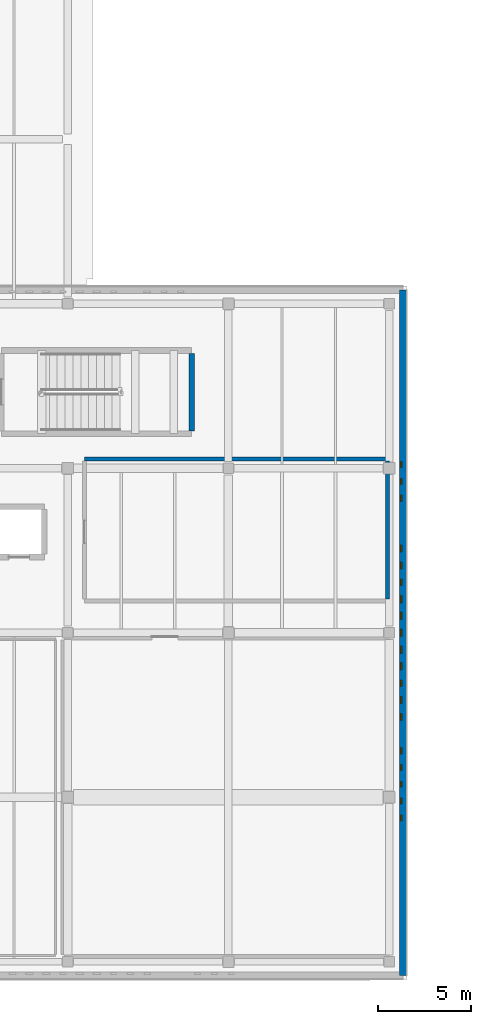
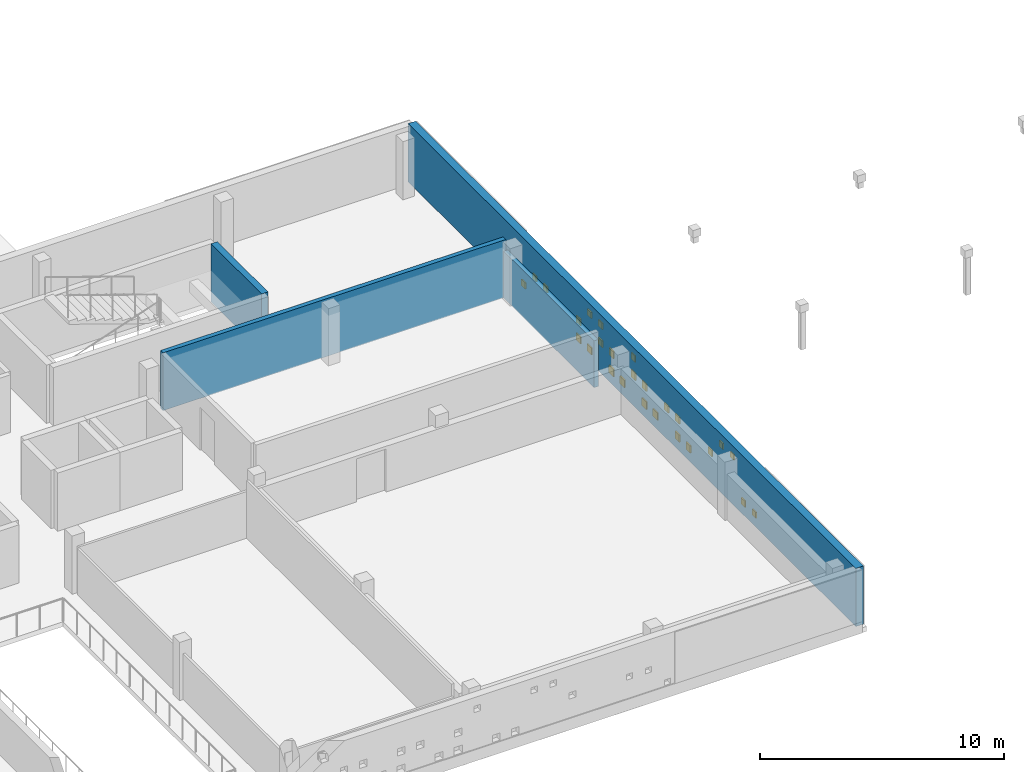
# One storey, part 11 of 17: 26 windows, 4 walls, 26 openings.
"""IFC4 building model written with IfcOpenShell, lengths in metres."""

from ifc_helpers import new_model, si_unit, direction, frame, frame_2d, origin, place, context, subcontext, project, spatial, rectangle, extrude, material, layer, layer_set, type_object, element, fill, save


model = new_model("IFC4")

# Units and contexts
model_context = context("Model", 3, precision=1e-05, world=origin(), true_north=direction((0.0, 1.0)))
body_context = subcontext(model_context, "Body", "Model", "MODEL_VIEW")
ifc_project = project(units=[si_unit("LENGTHUNIT", "METRE"), si_unit("AREAUNIT", "SQUARE_METRE"), si_unit("VOLUMEUNIT", "CUBIC_METRE"), si_unit("PLANEANGLEUNIT", "RADIAN"), si_unit("MASSUNIT", "GRAM", prefix="KILO")], contexts=[model_context])

# Site, building, storey
site_placement = place(None, origin())
site = spatial("IfcSite", under=ifc_project, at=site_placement, CompositionType="ELEMENT")
building_placement = place(site_placement, origin())
building = spatial("IfcBuilding", under=site, at=building_placement, Name="Varnakota Cinema and Media Centre", CompositionType="ELEMENT")
storey_placement = place(building_placement, frame((0.0, 0.0, 22.35009765625)))
storey = spatial("IfcBuildingStorey", under=building, at=storey_placement, Name="L06", CompositionType="ELEMENT", Elevation=22.35009765625)

# Walls
ifc_material_1 = material(Name="Autoclaved aerated concrete blockwork", Category="masonry")
ifc_layer_1 = layer(ifc_material_1, 0.2099609375)
ifc_layer_set_1 = layer_set([ifc_layer_1], Name="Autoclaved aerated concrete blockwork")
wall_type_1 = type_object("IfcWallType", Name="W-ACOUST-210", PredefinedType="PARTITIONING", material=ifc_layer_set_1)
wall_1_placement = place(storey_placement, frame((26.695068359375, 26.905029296875, 0.0), z_axis=(0.0, 0.0, 1.0), x_axis=(1.0, 0.0, 0.0)))
element("IfcWall", 1, at=wall_1_placement, inside=storey, type_object=wall_type_1, Name="L06 RWALL-RM-L06-EDIT5 N wall", PredefinedType="PARTITIONING", context=body_context, shape_type="SweptSolid", body=[
    extrude(rectangle(XDim=16.2099609375, YDim=0.2099609375, at=frame_2d((8.10498046875, 0.0))), origin(), (0.0, 0.0, 1.0), 2.889892578125),
])
wall_2_placement = place(storey_placement, frame((42.905029296875, 26.800048828125, 0.0), z_axis=(0.0, 0.0, 1.0), x_axis=(0.0, -1.0, 0.0)))
element("IfcWall", 2, at=wall_2_placement, inside=storey, type_object=wall_type_1, Name="L06 RWALL-RM-L06-EDIT5 E wall", PredefinedType="PARTITIONING", context=body_context, shape_type="SweptSolid", body=[
    extrude(rectangle(XDim=7.400146484375, YDim=0.2099609375, at=frame_2d((3.7001953125, 0.0))), origin(), (0.0, 0.0, 1.0), 2.33984375),
])
ifc_material_2 = material(Name="Concrete M40", Category="concrete")
ifc_layer_2 = layer(ifc_material_2, 0.300048828125)
ifc_layer_set_2 = layer_set([ifc_layer_2], Name="Concrete M40")
wall_type_2 = type_object("IfcWallType", Name="W-CORE-300", PredefinedType="SHEAR", material=ifc_layer_set_2)
wall_3_placement = place(storey_placement, frame((32.429931640625, 32.550048828125, 0.0), z_axis=(0.0, 0.0, 1.0), x_axis=(0.0, -1.0, 0.0)))
element("IfcWall", 3, at=wall_3_placement, inside=storey, type_object=wall_type_2, Name="L06 CWALL-ST-02-L06 E wall", PredefinedType="SHEAR", context=body_context, shape_type="SweptSolid", body=[
    extrude(rectangle(XDim=4.150146484375, YDim=0.300048828125, at=frame_2d((2.0751953125, 0.0))), origin(), (0.0, 0.0, 1.0), 2.909912109375),
])

# Wall, openings, windows
ifc_material_3 = material(Name="Pale Tandur limestone cladding", Category="masonry")
ifc_layer_3 = layer(ifc_material_3, 0.360107421875)
ifc_layer_set_3 = layer_set([ifc_layer_3], Name="Pale Tandur limestone cladding")
wall_type_3 = type_object("IfcWallType", Name="W-EXT-TANDUR-360", PredefinedType="SOLIDWALL", material=ifc_layer_set_3)
wall_4_placement = place(storey_placement, frame((43.739990234375, 35.93994140625, 0.0), z_axis=(0.0, 0.0, 1.0), x_axis=(0.0, -1.0, 0.0)))
wall_4 = element("IfcWall", 4, at=wall_4_placement, inside=storey, type_object=wall_type_3, Name="L06 V4 pale Tandur stone monolith wall V4-E", PredefinedType="SOLIDWALL", context=body_context, shape_type="SweptSolid", body=[
    extrude(rectangle(XDim=36.679931640625, YDim=0.360107421875, at=frame_2d((18.33984375, 0.0))), origin(), (0.0, 0.0, 1.0), 2.909912109375),
])
opening_1_placement = place(wall_4_placement, frame((9.179931640625, 0.0, 0.360107421875)))
opening_1 = element("IfcOpeningElement", 5, at=opening_1_placement, cuts=wall_4, Name="Opening WP13", PredefinedType="OPENING", context=body_context, shape_type="SweptSolid", body=[
    extrude(rectangle(XDim=0.320068359375, YDim=0.320068359375, at=frame_2d((0.16015625, 0.16015625))), frame((0.0, 0.18017578125, 0.0), z_axis=(0.0, -1.0, 0.0), x_axis=(1.0, 0.0, 0.0)), (0.0, 0.0, 1.0), 0.360107421875),
])
opening_2_placement = place(wall_4_placement, frame((10.090087890625, 0.0, 1.260009765625)))
opening_2 = element("IfcOpeningElement", 6, at=opening_2_placement, cuts=wall_4, Name="Opening WP14", PredefinedType="OPENING", context=body_context, shape_type="SweptSolid", body=[
    extrude(rectangle(XDim=0.300048828125, YDim=0.300048828125, at=frame_2d((0.14990234375, 0.14990234375))), frame((0.0, 0.18017578125, 0.0), z_axis=(0.0, -1.0, 0.0), x_axis=(1.0, 0.0, 0.0)), (0.0, 0.0, 1.0), 0.360107421875),
])
opening_3_placement = place(wall_4_placement, frame((10.97998046875, 0.0, 1.260009765625)))
opening_3 = element("IfcOpeningElement", 7, at=opening_3_placement, cuts=wall_4, Name="Opening WP13", PredefinedType="OPENING", context=body_context, shape_type="SweptSolid", body=[
    extrude(rectangle(XDim=0.320068359375, YDim=0.320068359375, at=frame_2d((0.16015625, 0.16015625))), frame((0.0, 0.18017578125, 0.0), z_axis=(0.0, -1.0, 0.0), x_axis=(1.0, 0.0, 0.0)), (0.0, 0.0, 1.0), 0.360107421875),
])
opening_4_placement = place(wall_4_placement, frame((13.659912109375, 0.0, 0.360107421875)))
opening_4 = element("IfcOpeningElement", 8, at=opening_4_placement, cuts=wall_4, Name="Opening WP11", PredefinedType="OPENING", context=body_context, shape_type="SweptSolid", body=[
    extrude(rectangle(XDim=0.360107421875, YDim=0.360107421875, at=frame_2d((0.18017578125, 0.18017578125))), frame((0.0, 0.18017578125, 0.0), z_axis=(0.0, -1.0, 0.0), x_axis=(1.0, 0.0, 0.0)), (0.0, 0.0, 1.0), 0.360107421875),
])
opening_5_placement = place(wall_4_placement, frame((13.669921875, 0.0, 1.260009765625)))
opening_5 = element("IfcOpeningElement", 9, at=opening_5_placement, cuts=wall_4, Name="Opening WP12", PredefinedType="OPENING", context=body_context, shape_type="SweptSolid", body=[
    extrude(rectangle(XDim=0.340087890625, YDim=0.340087890625, at=frame_2d((0.169921875, 0.169921875))), frame((0.0, 0.18017578125, 0.0), z_axis=(0.0, -1.0, 0.0), x_axis=(1.0, 0.0, 0.0)), (0.0, 0.0, 1.0), 0.360107421875),
])
opening_6_placement = place(wall_4_placement, frame((14.56005859375, 0.0, 0.360107421875)))
opening_6 = element("IfcOpeningElement", 10, at=opening_6_placement, cuts=wall_4, Name="Opening WP11", PredefinedType="OPENING", context=body_context, shape_type="SweptSolid", body=[
    extrude(rectangle(XDim=0.360107421875, YDim=0.360107421875, at=frame_2d((0.18017578125, 0.18017578125))), frame((0.0, 0.18017578125, 0.0), z_axis=(0.0, -1.0, 0.0), x_axis=(1.0, 0.0, 0.0)), (0.0, 0.0, 1.0), 0.360107421875),
])
opening_7_placement = place(wall_4_placement, frame((14.580078125, 0.0, 2.159912109375)))
opening_7 = element("IfcOpeningElement", 11, at=opening_7_placement, cuts=wall_4, Name="Opening WP13", PredefinedType="OPENING", context=body_context, shape_type="SweptSolid", body=[
    extrude(rectangle(XDim=0.320068359375, YDim=0.320068359375, at=frame_2d((0.16015625, 0.16015625))), frame((0.0, 0.18017578125, 0.0), z_axis=(0.0, -1.0, 0.0), x_axis=(1.0, 0.0, 0.0)), (0.0, 0.0, 1.0), 0.360107421875),
])
opening_8_placement = place(wall_4_placement, frame((15.469970703125, 0.0, 1.260009765625)))
opening_8 = element("IfcOpeningElement", 12, at=opening_8_placement, cuts=wall_4, Name="Opening WP12", PredefinedType="OPENING", context=body_context, shape_type="SweptSolid", body=[
    extrude(rectangle(XDim=0.340087890625, YDim=0.340087890625, at=frame_2d((0.169921875, 0.169921875))), frame((0.0, 0.18017578125, 0.0), z_axis=(0.0, -1.0, 0.0), x_axis=(1.0, 0.0, 0.0)), (0.0, 0.0, 1.0), 0.360107421875),
])
opening_9_placement = place(wall_4_placement, frame((15.47998046875, 0.0, 2.159912109375)))
opening_9 = element("IfcOpeningElement", 13, at=opening_9_placement, cuts=wall_4, Name="Opening WP13", PredefinedType="OPENING", context=body_context, shape_type="SweptSolid", body=[
    extrude(rectangle(XDim=0.320068359375, YDim=0.320068359375, at=frame_2d((0.16015625, 0.16015625))), frame((0.0, 0.18017578125, 0.0), z_axis=(0.0, -1.0, 0.0), x_axis=(1.0, 0.0, 0.0)), (0.0, 0.0, 1.0), 0.360107421875),
])
opening_10_placement = place(wall_4_placement, frame((16.35009765625, 0.0, 0.360107421875)))
opening_10 = element("IfcOpeningElement", 14, at=opening_10_placement, cuts=wall_4, Name="Opening WP10", PredefinedType="OPENING", context=body_context, shape_type="SweptSolid", body=[
    extrude(rectangle(XDim=0.3798828125, YDim=0.3798828125, at=frame_2d((0.18994140625, 0.18994140625))), frame((0.0, 0.18017578125, 0.0), z_axis=(0.0, -1.0, 0.0), x_axis=(1.0, 0.0, 0.0)), (0.0, 0.0, 1.0), 0.360107421875),
])
opening_11_placement = place(wall_4_placement, frame((16.360107421875, 0.0, 1.260009765625)))
opening_11 = element("IfcOpeningElement", 15, at=opening_11_placement, cuts=wall_4, Name="Opening WP11", PredefinedType="OPENING", context=body_context, shape_type="SweptSolid", body=[
    extrude(rectangle(XDim=0.360107421875, YDim=0.360107421875, at=frame_2d((0.18017578125, 0.18017578125))), frame((0.0, 0.18017578125, 0.0), z_axis=(0.0, -1.0, 0.0), x_axis=(1.0, 0.0, 0.0)), (0.0, 0.0, 1.0), 0.360107421875),
])
opening_12_placement = place(wall_4_placement, frame((17.25, 0.0, 0.360107421875)))
opening_12 = element("IfcOpeningElement", 16, at=opening_12_placement, cuts=wall_4, Name="Opening WP10", PredefinedType="OPENING", context=body_context, shape_type="SweptSolid", body=[
    extrude(rectangle(XDim=0.3798828125, YDim=0.3798828125, at=frame_2d((0.18994140625, 0.18994140625))), frame((0.0, 0.18017578125, 0.0), z_axis=(0.0, -1.0, 0.0), x_axis=(1.0, 0.0, 0.0)), (0.0, 0.0, 1.0), 0.360107421875),
])
opening_13_placement = place(wall_4_placement, frame((18.159912109375, 0.0, 1.260009765625)))
opening_13 = element("IfcOpeningElement", 17, at=opening_13_placement, cuts=wall_4, Name="Opening WP11", PredefinedType="OPENING", context=body_context, shape_type="SweptSolid", body=[
    extrude(rectangle(XDim=0.360107421875, YDim=0.360107421875, at=frame_2d((0.18017578125, 0.18017578125))), frame((0.0, 0.18017578125, 0.0), z_axis=(0.0, -1.0, 0.0), x_axis=(1.0, 0.0, 0.0)), (0.0, 0.0, 1.0), 0.360107421875),
])
opening_14_placement = place(wall_4_placement, frame((18.179931640625, 0.0, 2.159912109375)))
opening_14 = element("IfcOpeningElement", 18, at=opening_14_placement, cuts=wall_4, Name="Opening WP13", PredefinedType="OPENING", context=body_context, shape_type="SweptSolid", body=[
    extrude(rectangle(XDim=0.320068359375, YDim=0.320068359375, at=frame_2d((0.16015625, 0.16015625))), frame((0.0, 0.18017578125, 0.0), z_axis=(0.0, -1.0, 0.0), x_axis=(1.0, 0.0, 0.0)), (0.0, 0.0, 1.0), 0.360107421875),
])
opening_15_placement = place(wall_4_placement, frame((19.050048828125, 0.0, 0.360107421875)))
opening_15 = element("IfcOpeningElement", 19, at=opening_15_placement, cuts=wall_4, Name="Opening WP10", PredefinedType="OPENING", context=body_context, shape_type="SweptSolid", body=[
    extrude(rectangle(XDim=0.3798828125, YDim=0.3798828125, at=frame_2d((0.18994140625, 0.18994140625))), frame((0.0, 0.18017578125, 0.0), z_axis=(0.0, -1.0, 0.0), x_axis=(1.0, 0.0, 0.0)), (0.0, 0.0, 1.0), 0.360107421875),
])
opening_16_placement = place(wall_4_placement, frame((19.06005859375, 0.0, 1.260009765625)))
opening_16 = element("IfcOpeningElement", 20, at=opening_16_placement, cuts=wall_4, Name="Opening WP11", PredefinedType="OPENING", context=body_context, shape_type="SweptSolid", body=[
    extrude(rectangle(XDim=0.360107421875, YDim=0.360107421875, at=frame_2d((0.18017578125, 0.18017578125))), frame((0.0, 0.18017578125, 0.0), z_axis=(0.0, -1.0, 0.0), x_axis=(1.0, 0.0, 0.0)), (0.0, 0.0, 1.0), 0.360107421875),
])
opening_17_placement = place(wall_4_placement, frame((19.949951171875, 0.0, 0.360107421875)))
opening_17 = element("IfcOpeningElement", 21, at=opening_17_placement, cuts=wall_4, Name="Opening WP10", PredefinedType="OPENING", context=body_context, shape_type="SweptSolid", body=[
    extrude(rectangle(XDim=0.3798828125, YDim=0.3798828125, at=frame_2d((0.18994140625, 0.18994140625))), frame((0.0, 0.18017578125, 0.0), z_axis=(0.0, -1.0, 0.0), x_axis=(1.0, 0.0, 0.0)), (0.0, 0.0, 1.0), 0.360107421875),
])
opening_18_placement = place(wall_4_placement, frame((20.8701171875, 0.0, 1.260009765625)))
opening_18 = element("IfcOpeningElement", 22, at=opening_18_placement, cuts=wall_4, Name="Opening WP12", PredefinedType="OPENING", context=body_context, shape_type="SweptSolid", body=[
    extrude(rectangle(XDim=0.340087890625, YDim=0.340087890625, at=frame_2d((0.169921875, 0.169921875))), frame((0.0, 0.18017578125, 0.0), z_axis=(0.0, -1.0, 0.0), x_axis=(1.0, 0.0, 0.0)), (0.0, 0.0, 1.0), 0.360107421875),
])
opening_19_placement = place(wall_4_placement, frame((21.760009765625, 0.0, 0.360107421875)))
opening_19 = element("IfcOpeningElement", 23, at=opening_19_placement, cuts=wall_4, Name="Opening WP11", PredefinedType="OPENING", context=body_context, shape_type="SweptSolid", body=[
    extrude(rectangle(XDim=0.360107421875, YDim=0.360107421875, at=frame_2d((0.18017578125, 0.18017578125))), frame((0.0, 0.18017578125, 0.0), z_axis=(0.0, -1.0, 0.0), x_axis=(1.0, 0.0, 0.0)), (0.0, 0.0, 1.0), 0.360107421875),
])
opening_20_placement = place(wall_4_placement, frame((21.77001953125, 0.0, 1.260009765625)))
opening_20 = element("IfcOpeningElement", 24, at=opening_20_placement, cuts=wall_4, Name="Opening WP12", PredefinedType="OPENING", context=body_context, shape_type="SweptSolid", body=[
    extrude(rectangle(XDim=0.340087890625, YDim=0.340087890625, at=frame_2d((0.169921875, 0.169921875))), frame((0.0, 0.18017578125, 0.0), z_axis=(0.0, -1.0, 0.0), x_axis=(1.0, 0.0, 0.0)), (0.0, 0.0, 1.0), 0.360107421875),
])
opening_21_placement = place(wall_4_placement, frame((22.659912109375, 0.0, 0.360107421875)))
opening_21 = element("IfcOpeningElement", 25, at=opening_21_placement, cuts=wall_4, Name="Opening WP11", PredefinedType="OPENING", context=body_context, shape_type="SweptSolid", body=[
    extrude(rectangle(XDim=0.360107421875, YDim=0.360107421875, at=frame_2d((0.18017578125, 0.18017578125))), frame((0.0, 0.18017578125, 0.0), z_axis=(0.0, -1.0, 0.0), x_axis=(1.0, 0.0, 0.0)), (0.0, 0.0, 1.0), 0.360107421875),
])
opening_22_placement = place(wall_4_placement, frame((24.47998046875, 0.0, 1.260009765625)))
opening_22 = element("IfcOpeningElement", 26, at=opening_22_placement, cuts=wall_4, Name="Opening WP13", PredefinedType="OPENING", context=body_context, shape_type="SweptSolid", body=[
    extrude(rectangle(XDim=0.320068359375, YDim=0.320068359375, at=frame_2d((0.16015625, 0.16015625))), frame((0.0, 0.18017578125, 0.0), z_axis=(0.0, -1.0, 0.0), x_axis=(1.0, 0.0, 0.0)), (0.0, 0.0, 1.0), 0.360107421875),
])
opening_23_placement = place(wall_4_placement, frame((25.389892578125, 0.0, 2.159912109375)))
opening_23 = element("IfcOpeningElement", 27, at=opening_23_placement, cuts=wall_4, Name="Opening WP14", PredefinedType="OPENING", context=body_context, shape_type="SweptSolid", body=[
    extrude(rectangle(XDim=0.300048828125, YDim=0.300048828125, at=frame_2d((0.14990234375, 0.14990234375))), frame((0.0, 0.18017578125, 0.0), z_axis=(0.0, -1.0, 0.0), x_axis=(1.0, 0.0, 0.0)), (0.0, 0.0, 1.0), 0.360107421875),
])
opening_24_placement = place(wall_4_placement, frame((26.300048828125, 0.0, 2.159912109375)))
opening_24 = element("IfcOpeningElement", 28, at=opening_24_placement, cuts=wall_4, Name="Opening WP15", PredefinedType="OPENING", context=body_context, shape_type="SweptSolid", body=[
    extrude(rectangle(XDim=0.280029296875, YDim=0.280029296875, at=frame_2d((0.14013671875, 0.14013671875))), frame((0.0, 0.18017578125, 0.0), z_axis=(0.0, -1.0, 0.0), x_axis=(1.0, 0.0, 0.0)), (0.0, 0.0, 1.0), 0.360107421875),
])
opening_25_placement = place(wall_4_placement, frame((27.179931640625, 0.0, 0.360107421875)))
opening_25 = element("IfcOpeningElement", 29, at=opening_25_placement, cuts=wall_4, Name="Opening WP13", PredefinedType="OPENING", context=body_context, shape_type="SweptSolid", body=[
    extrude(rectangle(XDim=0.320068359375, YDim=0.320068359375, at=frame_2d((0.16015625, 0.16015625))), frame((0.0, 0.18017578125, 0.0), z_axis=(0.0, -1.0, 0.0), x_axis=(1.0, 0.0, 0.0)), (0.0, 0.0, 1.0), 0.360107421875),
])
opening_26_placement = place(wall_4_placement, frame((28.090087890625, 0.0, 0.360107421875)))
opening_26 = element("IfcOpeningElement", 30, at=opening_26_placement, cuts=wall_4, Name="Opening WP14", PredefinedType="OPENING", context=body_context, shape_type="SweptSolid", body=[
    extrude(rectangle(XDim=0.300048828125, YDim=0.300048828125, at=frame_2d((0.14990234375, 0.14990234375))), frame((0.0, 0.18017578125, 0.0), z_axis=(0.0, -1.0, 0.0), x_axis=(1.0, 0.0, 0.0)), (0.0, 0.0, 1.0), 0.360107421875),
])
ifc_material_4 = material(Name="Laminated solar-control double glazing", Category="glass")
window_type_1 = type_object("IfcWindowType", Name="WIN-PIERCE-10", PartitioningType="SINGLE_PANEL", PredefinedType="WINDOW", material=ifc_material_4)
window_1_placement = place(opening_10_placement, origin())
window_1 = element("IfcWindow", 31, at=window_1_placement, inside=storey, type_object=window_type_1, Name="L06 window WP10", OverallHeight=0.3798828125, OverallWidth=0.3798828125, PartitioningType="SINGLE_PANEL", PredefinedType="WINDOW", context=body_context, shape_type="SweptSolid", body=[
    extrude(rectangle(XDim=0.3798828125, YDim=0.3798828125, at=frame_2d((0.18994140625, 0.18994140625))), frame((0.0, -0.070068359375, 0.0), z_axis=(0.0, -1.0, 0.0), x_axis=(1.0, 0.0, 0.0)), (0.0, 0.0, 1.0), 0.06005859375),
])
fill(opening_10, window_1)
window_2_placement = place(opening_12_placement, origin())
window_2 = element("IfcWindow", 32, at=window_2_placement, inside=storey, type_object=window_type_1, Name="L06 window WP10", OverallHeight=0.3798828125, OverallWidth=0.3798828125, PartitioningType="SINGLE_PANEL", PredefinedType="WINDOW", context=body_context, shape_type="SweptSolid", body=[
    extrude(rectangle(XDim=0.3798828125, YDim=0.3798828125, at=frame_2d((0.18994140625, 0.18994140625))), frame((0.0, -0.070068359375, 0.0), z_axis=(0.0, -1.0, 0.0), x_axis=(1.0, 0.0, 0.0)), (0.0, 0.0, 1.0), 0.06005859375),
])
fill(opening_12, window_2)
window_3_placement = place(opening_15_placement, origin())
window_3 = element("IfcWindow", 33, at=window_3_placement, inside=storey, type_object=window_type_1, Name="L06 window WP10", OverallHeight=0.3798828125, OverallWidth=0.3798828125, PartitioningType="SINGLE_PANEL", PredefinedType="WINDOW", context=body_context, shape_type="SweptSolid", body=[
    extrude(rectangle(XDim=0.3798828125, YDim=0.3798828125, at=frame_2d((0.18994140625, 0.18994140625))), frame((0.0, -0.070068359375, 0.0), z_axis=(0.0, -1.0, 0.0), x_axis=(1.0, 0.0, 0.0)), (0.0, 0.0, 1.0), 0.06005859375),
])
fill(opening_15, window_3)
window_4_placement = place(opening_17_placement, origin())
window_4 = element("IfcWindow", 34, at=window_4_placement, inside=storey, type_object=window_type_1, Name="L06 window WP10", OverallHeight=0.3798828125, OverallWidth=0.3798828125, PartitioningType="SINGLE_PANEL", PredefinedType="WINDOW", context=body_context, shape_type="SweptSolid", body=[
    extrude(rectangle(XDim=0.3798828125, YDim=0.3798828125, at=frame_2d((0.18994140625, 0.18994140625))), frame((0.0, -0.070068359375, 0.0), z_axis=(0.0, -1.0, 0.0), x_axis=(1.0, 0.0, 0.0)), (0.0, 0.0, 1.0), 0.06005859375),
])
fill(opening_17, window_4)
ifc_material_5 = material(Name="Laminated solar-control double glazing", Category="glass")
window_type_2 = type_object("IfcWindowType", Name="WIN-PIERCE-11", PartitioningType="SINGLE_PANEL", PredefinedType="WINDOW", material=ifc_material_5)
window_5_placement = place(opening_4_placement, origin())
window_5 = element("IfcWindow", 35, at=window_5_placement, inside=storey, type_object=window_type_2, Name="L06 window WP11", OverallHeight=0.360107421875, OverallWidth=0.360107421875, PartitioningType="SINGLE_PANEL", PredefinedType="WINDOW", context=body_context, shape_type="SweptSolid", body=[
    extrude(rectangle(XDim=0.360107421875, YDim=0.360107421875, at=frame_2d((0.18017578125, 0.18017578125))), frame((0.0, -0.070068359375, 0.0), z_axis=(0.0, -1.0, 0.0), x_axis=(1.0, 0.0, 0.0)), (0.0, 0.0, 1.0), 0.06005859375),
])
fill(opening_4, window_5)
window_6_placement = place(opening_6_placement, origin())
window_6 = element("IfcWindow", 36, at=window_6_placement, inside=storey, type_object=window_type_2, Name="L06 window WP11", OverallHeight=0.360107421875, OverallWidth=0.360107421875, PartitioningType="SINGLE_PANEL", PredefinedType="WINDOW", context=body_context, shape_type="SweptSolid", body=[
    extrude(rectangle(XDim=0.360107421875, YDim=0.360107421875, at=frame_2d((0.18017578125, 0.18017578125))), frame((0.0, -0.070068359375, 0.0), z_axis=(0.0, -1.0, 0.0), x_axis=(1.0, 0.0, 0.0)), (0.0, 0.0, 1.0), 0.06005859375),
])
fill(opening_6, window_6)
window_7_placement = place(opening_11_placement, origin())
window_7 = element("IfcWindow", 37, at=window_7_placement, inside=storey, type_object=window_type_2, Name="L06 window WP11", OverallHeight=0.360107421875, OverallWidth=0.360107421875, PartitioningType="SINGLE_PANEL", PredefinedType="WINDOW", context=body_context, shape_type="SweptSolid", body=[
    extrude(rectangle(XDim=0.360107421875, YDim=0.360107421875, at=frame_2d((0.18017578125, 0.18017578125))), frame((0.0, -0.070068359375, 0.0), z_axis=(0.0, -1.0, 0.0), x_axis=(1.0, 0.0, 0.0)), (0.0, 0.0, 1.0), 0.06005859375),
])
fill(opening_11, window_7)
window_8_placement = place(opening_13_placement, origin())
window_8 = element("IfcWindow", 38, at=window_8_placement, inside=storey, type_object=window_type_2, Name="L06 window WP11", OverallHeight=0.360107421875, OverallWidth=0.360107421875, PartitioningType="SINGLE_PANEL", PredefinedType="WINDOW", context=body_context, shape_type="SweptSolid", body=[
    extrude(rectangle(XDim=0.360107421875, YDim=0.360107421875, at=frame_2d((0.18017578125, 0.18017578125))), frame((0.0, -0.070068359375, 0.0), z_axis=(0.0, -1.0, 0.0), x_axis=(1.0, 0.0, 0.0)), (0.0, 0.0, 1.0), 0.06005859375),
])
fill(opening_13, window_8)
window_9_placement = place(opening_16_placement, origin())
window_9 = element("IfcWindow", 39, at=window_9_placement, inside=storey, type_object=window_type_2, Name="L06 window WP11", OverallHeight=0.360107421875, OverallWidth=0.360107421875, PartitioningType="SINGLE_PANEL", PredefinedType="WINDOW", context=body_context, shape_type="SweptSolid", body=[
    extrude(rectangle(XDim=0.360107421875, YDim=0.360107421875, at=frame_2d((0.18017578125, 0.18017578125))), frame((0.0, -0.070068359375, 0.0), z_axis=(0.0, -1.0, 0.0), x_axis=(1.0, 0.0, 0.0)), (0.0, 0.0, 1.0), 0.06005859375),
])
fill(opening_16, window_9)
window_10_placement = place(opening_19_placement, origin())
window_10 = element("IfcWindow", 40, at=window_10_placement, inside=storey, type_object=window_type_2, Name="L06 window WP11", OverallHeight=0.360107421875, OverallWidth=0.360107421875, PartitioningType="SINGLE_PANEL", PredefinedType="WINDOW", context=body_context, shape_type="SweptSolid", body=[
    extrude(rectangle(XDim=0.360107421875, YDim=0.360107421875, at=frame_2d((0.18017578125, 0.18017578125))), frame((0.0, -0.070068359375, 0.0), z_axis=(0.0, -1.0, 0.0), x_axis=(1.0, 0.0, 0.0)), (0.0, 0.0, 1.0), 0.06005859375),
])
fill(opening_19, window_10)
window_11_placement = place(opening_21_placement, origin())
window_11 = element("IfcWindow", 41, at=window_11_placement, inside=storey, type_object=window_type_2, Name="L06 window WP11", OverallHeight=0.360107421875, OverallWidth=0.360107421875, PartitioningType="SINGLE_PANEL", PredefinedType="WINDOW", context=body_context, shape_type="SweptSolid", body=[
    extrude(rectangle(XDim=0.360107421875, YDim=0.360107421875, at=frame_2d((0.18017578125, 0.18017578125))), frame((0.0, -0.070068359375, 0.0), z_axis=(0.0, -1.0, 0.0), x_axis=(1.0, 0.0, 0.0)), (0.0, 0.0, 1.0), 0.06005859375),
])
fill(opening_21, window_11)
ifc_material_6 = material(Name="Laminated solar-control double glazing", Category="glass")
window_type_3 = type_object("IfcWindowType", Name="WIN-PIERCE-12", PartitioningType="SINGLE_PANEL", PredefinedType="WINDOW", material=ifc_material_6)
window_12_placement = place(opening_5_placement, origin())
window_12 = element("IfcWindow", 42, at=window_12_placement, inside=storey, type_object=window_type_3, Name="L06 window WP12", OverallHeight=0.340087890625, OverallWidth=0.340087890625, PartitioningType="SINGLE_PANEL", PredefinedType="WINDOW", context=body_context, shape_type="SweptSolid", body=[
    extrude(rectangle(XDim=0.340087890625, YDim=0.340087890625, at=frame_2d((0.169921875, 0.169921875))), frame((0.0, -0.070068359375, 0.0), z_axis=(0.0, -1.0, 0.0), x_axis=(1.0, 0.0, 0.0)), (0.0, 0.0, 1.0), 0.06005859375),
])
fill(opening_5, window_12)
window_13_placement = place(opening_8_placement, origin())
window_13 = element("IfcWindow", 43, at=window_13_placement, inside=storey, type_object=window_type_3, Name="L06 window WP12", OverallHeight=0.340087890625, OverallWidth=0.340087890625, PartitioningType="SINGLE_PANEL", PredefinedType="WINDOW", context=body_context, shape_type="SweptSolid", body=[
    extrude(rectangle(XDim=0.340087890625, YDim=0.340087890625, at=frame_2d((0.169921875, 0.169921875))), frame((0.0, -0.070068359375, 0.0), z_axis=(0.0, -1.0, 0.0), x_axis=(1.0, 0.0, 0.0)), (0.0, 0.0, 1.0), 0.06005859375),
])
fill(opening_8, window_13)
window_14_placement = place(opening_18_placement, origin())
window_14 = element("IfcWindow", 44, at=window_14_placement, inside=storey, type_object=window_type_3, Name="L06 window WP12", OverallHeight=0.340087890625, OverallWidth=0.340087890625, PartitioningType="SINGLE_PANEL", PredefinedType="WINDOW", context=body_context, shape_type="SweptSolid", body=[
    extrude(rectangle(XDim=0.340087890625, YDim=0.340087890625, at=frame_2d((0.169921875, 0.169921875))), frame((0.0, -0.070068359375, 0.0), z_axis=(0.0, -1.0, 0.0), x_axis=(1.0, 0.0, 0.0)), (0.0, 0.0, 1.0), 0.06005859375),
])
fill(opening_18, window_14)
window_15_placement = place(opening_20_placement, origin())
window_15 = element("IfcWindow", 45, at=window_15_placement, inside=storey, type_object=window_type_3, Name="L06 window WP12", OverallHeight=0.340087890625, OverallWidth=0.340087890625, PartitioningType="SINGLE_PANEL", PredefinedType="WINDOW", context=body_context, shape_type="SweptSolid", body=[
    extrude(rectangle(XDim=0.340087890625, YDim=0.340087890625, at=frame_2d((0.169921875, 0.169921875))), frame((0.0, -0.070068359375, 0.0), z_axis=(0.0, -1.0, 0.0), x_axis=(1.0, 0.0, 0.0)), (0.0, 0.0, 1.0), 0.06005859375),
])
fill(opening_20, window_15)
ifc_material_7 = material(Name="Laminated solar-control double glazing", Category="glass")
window_type_4 = type_object("IfcWindowType", Name="WIN-PIERCE-13", PartitioningType="SINGLE_PANEL", PredefinedType="WINDOW", material=ifc_material_7)
window_16_placement = place(opening_1_placement, origin())
window_16 = element("IfcWindow", 46, at=window_16_placement, inside=storey, type_object=window_type_4, Name="L06 window WP13", OverallHeight=0.320068359375, OverallWidth=0.320068359375, PartitioningType="SINGLE_PANEL", PredefinedType="WINDOW", context=body_context, shape_type="SweptSolid", body=[
    extrude(rectangle(XDim=0.320068359375, YDim=0.320068359375, at=frame_2d((0.16015625, 0.16015625))), frame((0.0, -0.070068359375, 0.0), z_axis=(0.0, -1.0, 0.0), x_axis=(1.0, 0.0, 0.0)), (0.0, 0.0, 1.0), 0.06005859375),
])
fill(opening_1, window_16)
window_17_placement = place(opening_3_placement, origin())
window_17 = element("IfcWindow", 47, at=window_17_placement, inside=storey, type_object=window_type_4, Name="L06 window WP13", OverallHeight=0.320068359375, OverallWidth=0.320068359375, PartitioningType="SINGLE_PANEL", PredefinedType="WINDOW", context=body_context, shape_type="SweptSolid", body=[
    extrude(rectangle(XDim=0.320068359375, YDim=0.320068359375, at=frame_2d((0.16015625, 0.16015625))), frame((0.0, -0.070068359375, 0.0), z_axis=(0.0, -1.0, 0.0), x_axis=(1.0, 0.0, 0.0)), (0.0, 0.0, 1.0), 0.06005859375),
])
fill(opening_3, window_17)
window_18_placement = place(opening_7_placement, origin())
window_18 = element("IfcWindow", 48, at=window_18_placement, inside=storey, type_object=window_type_4, Name="L06 window WP13", OverallHeight=0.320068359375, OverallWidth=0.320068359375, PartitioningType="SINGLE_PANEL", PredefinedType="WINDOW", context=body_context, shape_type="SweptSolid", body=[
    extrude(rectangle(XDim=0.320068359375, YDim=0.320068359375, at=frame_2d((0.16015625, 0.16015625))), frame((0.0, -0.070068359375, 0.0), z_axis=(0.0, -1.0, 0.0), x_axis=(1.0, 0.0, 0.0)), (0.0, 0.0, 1.0), 0.06005859375),
])
fill(opening_7, window_18)
window_19_placement = place(opening_9_placement, origin())
window_19 = element("IfcWindow", 49, at=window_19_placement, inside=storey, type_object=window_type_4, Name="L06 window WP13", OverallHeight=0.320068359375, OverallWidth=0.320068359375, PartitioningType="SINGLE_PANEL", PredefinedType="WINDOW", context=body_context, shape_type="SweptSolid", body=[
    extrude(rectangle(XDim=0.320068359375, YDim=0.320068359375, at=frame_2d((0.16015625, 0.16015625))), frame((0.0, -0.070068359375, 0.0), z_axis=(0.0, -1.0, 0.0), x_axis=(1.0, 0.0, 0.0)), (0.0, 0.0, 1.0), 0.06005859375),
])
fill(opening_9, window_19)
window_20_placement = place(opening_14_placement, origin())
window_20 = element("IfcWindow", 50, at=window_20_placement, inside=storey, type_object=window_type_4, Name="L06 window WP13", OverallHeight=0.320068359375, OverallWidth=0.320068359375, PartitioningType="SINGLE_PANEL", PredefinedType="WINDOW", context=body_context, shape_type="SweptSolid", body=[
    extrude(rectangle(XDim=0.320068359375, YDim=0.320068359375, at=frame_2d((0.16015625, 0.16015625))), frame((0.0, -0.070068359375, 0.0), z_axis=(0.0, -1.0, 0.0), x_axis=(1.0, 0.0, 0.0)), (0.0, 0.0, 1.0), 0.06005859375),
])
fill(opening_14, window_20)
window_21_placement = place(opening_22_placement, origin())
window_21 = element("IfcWindow", 51, at=window_21_placement, inside=storey, type_object=window_type_4, Name="L06 window WP13", OverallHeight=0.320068359375, OverallWidth=0.320068359375, PartitioningType="SINGLE_PANEL", PredefinedType="WINDOW", context=body_context, shape_type="SweptSolid", body=[
    extrude(rectangle(XDim=0.320068359375, YDim=0.320068359375, at=frame_2d((0.16015625, 0.16015625))), frame((0.0, -0.070068359375, 0.0), z_axis=(0.0, -1.0, 0.0), x_axis=(1.0, 0.0, 0.0)), (0.0, 0.0, 1.0), 0.06005859375),
])
fill(opening_22, window_21)
window_22_placement = place(opening_25_placement, origin())
window_22 = element("IfcWindow", 52, at=window_22_placement, inside=storey, type_object=window_type_4, Name="L06 window WP13", OverallHeight=0.320068359375, OverallWidth=0.320068359375, PartitioningType="SINGLE_PANEL", PredefinedType="WINDOW", context=body_context, shape_type="SweptSolid", body=[
    extrude(rectangle(XDim=0.320068359375, YDim=0.320068359375, at=frame_2d((0.16015625, 0.16015625))), frame((0.0, -0.070068359375, 0.0), z_axis=(0.0, -1.0, 0.0), x_axis=(1.0, 0.0, 0.0)), (0.0, 0.0, 1.0), 0.06005859375),
])
fill(opening_25, window_22)
ifc_material_8 = material(Name="Laminated solar-control double glazing", Category="glass")
window_type_5 = type_object("IfcWindowType", Name="WIN-PIERCE-14", PartitioningType="SINGLE_PANEL", PredefinedType="WINDOW", material=ifc_material_8)
window_23_placement = place(opening_2_placement, origin())
window_23 = element("IfcWindow", 53, at=window_23_placement, inside=storey, type_object=window_type_5, Name="L06 window WP14", OverallHeight=0.300048828125, OverallWidth=0.300048828125, PartitioningType="SINGLE_PANEL", PredefinedType="WINDOW", context=body_context, shape_type="SweptSolid", body=[
    extrude(rectangle(XDim=0.300048828125, YDim=0.300048828125, at=frame_2d((0.14990234375, 0.14990234375))), frame((0.0, -0.070068359375, 0.0), z_axis=(0.0, -1.0, 0.0), x_axis=(1.0, 0.0, 0.0)), (0.0, 0.0, 1.0), 0.06005859375),
])
fill(opening_2, window_23)
window_24_placement = place(opening_23_placement, origin())
window_24 = element("IfcWindow", 54, at=window_24_placement, inside=storey, type_object=window_type_5, Name="L06 window WP14", OverallHeight=0.300048828125, OverallWidth=0.300048828125, PartitioningType="SINGLE_PANEL", PredefinedType="WINDOW", context=body_context, shape_type="SweptSolid", body=[
    extrude(rectangle(XDim=0.300048828125, YDim=0.300048828125, at=frame_2d((0.14990234375, 0.14990234375))), frame((0.0, -0.070068359375, 0.0), z_axis=(0.0, -1.0, 0.0), x_axis=(1.0, 0.0, 0.0)), (0.0, 0.0, 1.0), 0.06005859375),
])
fill(opening_23, window_24)
window_25_placement = place(opening_26_placement, origin())
window_25 = element("IfcWindow", 55, at=window_25_placement, inside=storey, type_object=window_type_5, Name="L06 window WP14", OverallHeight=0.300048828125, OverallWidth=0.300048828125, PartitioningType="SINGLE_PANEL", PredefinedType="WINDOW", context=body_context, shape_type="SweptSolid", body=[
    extrude(rectangle(XDim=0.300048828125, YDim=0.300048828125, at=frame_2d((0.14990234375, 0.14990234375))), frame((0.0, -0.070068359375, 0.0), z_axis=(0.0, -1.0, 0.0), x_axis=(1.0, 0.0, 0.0)), (0.0, 0.0, 1.0), 0.06005859375),
])
fill(opening_26, window_25)
ifc_material_9 = material(Name="Laminated solar-control double glazing", Category="glass")
window_type_6 = type_object("IfcWindowType", Name="WIN-PIERCE-15", PartitioningType="SINGLE_PANEL", PredefinedType="WINDOW", material=ifc_material_9)
window_26_placement = place(opening_24_placement, origin())
window_26 = element("IfcWindow", 56, at=window_26_placement, inside=storey, type_object=window_type_6, Name="L06 window WP15", OverallHeight=0.280029296875, OverallWidth=0.280029296875, PartitioningType="SINGLE_PANEL", PredefinedType="WINDOW", context=body_context, shape_type="SweptSolid", body=[
    extrude(rectangle(XDim=0.280029296875, YDim=0.280029296875, at=frame_2d((0.14013671875, 0.14013671875))), frame((0.0, -0.070068359375, 0.0), z_axis=(0.0, -1.0, 0.0), x_axis=(1.0, 0.0, 0.0)), (0.0, 0.0, 1.0), 0.06005859375),
])
fill(opening_24, window_26)

save(model, "model.ifc")
